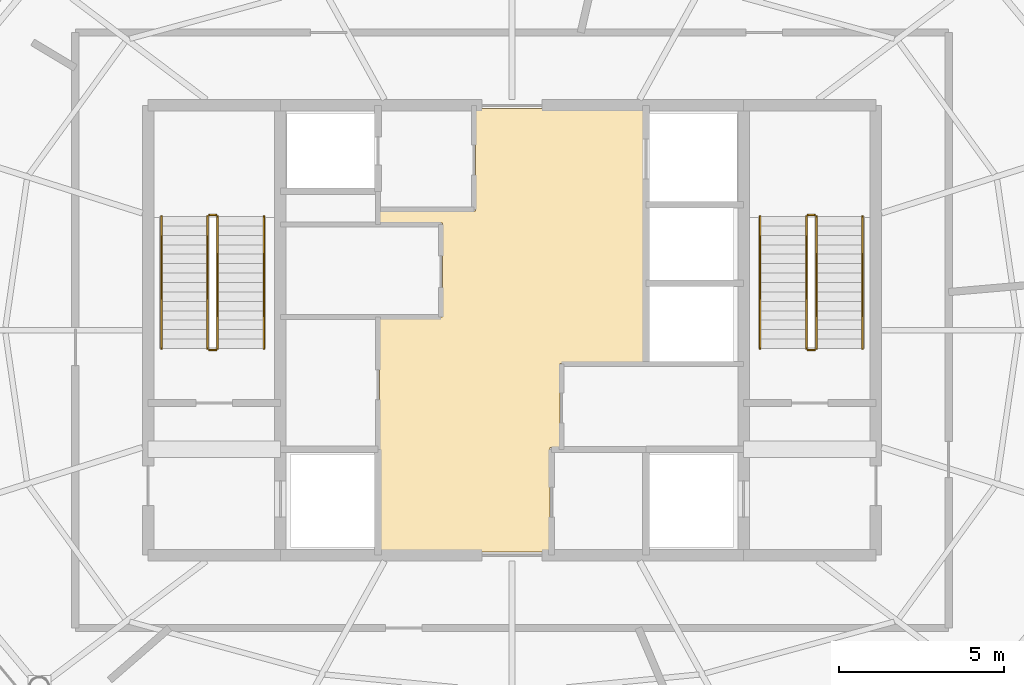
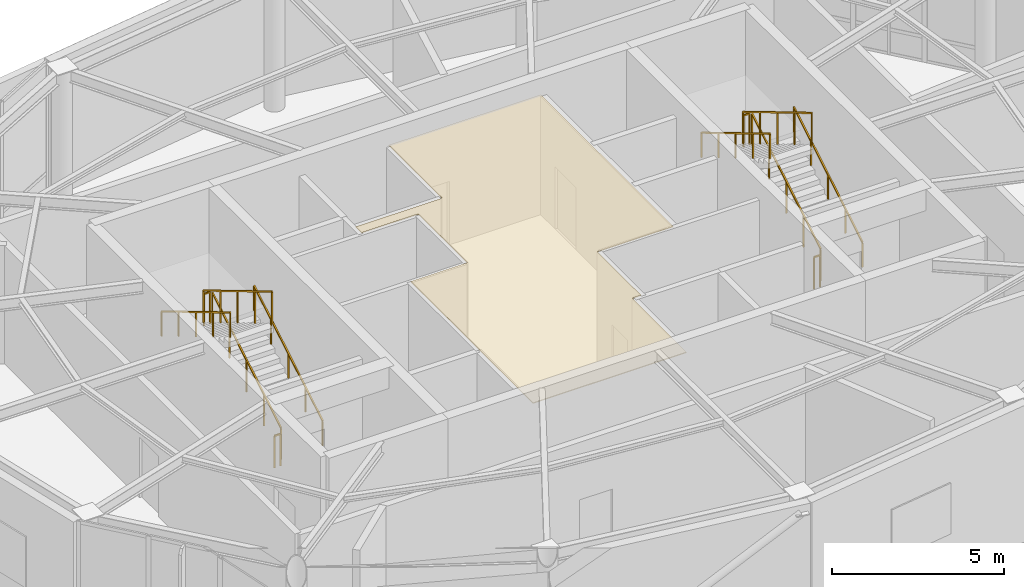
# One storey, part 15 of 15: 12 railings, 1 covering.
"""IFC4 building model written with IfcOpenShell, lengths in metres."""

from ifc_helpers import new_model, si_unit, direction, frame, origin, origin_2d, place, context, subcontext, project, spatial, polyline, rectangle, outline, extrude, material, layer, layer_set, type_object, element, save


model = new_model("IFC4")

# Units and contexts
model_context = context("Model", 3, precision=1e-05, world=origin(), true_north=direction((0.0, 1.0)))
body_context = subcontext(model_context, "Body", "Model", "MODEL_VIEW")
ifc_project = project(units=[si_unit("LENGTHUNIT", "METRE"), si_unit("AREAUNIT", "SQUARE_METRE"), si_unit("VOLUMEUNIT", "CUBIC_METRE"), si_unit("PLANEANGLEUNIT", "RADIAN"), si_unit("MASSUNIT", "GRAM", prefix="KILO")], contexts=[model_context])

# Site, building, storey
site_placement = place(None, origin())
site = spatial("IfcSite", under=ifc_project, at=site_placement, CompositionType="ELEMENT")
building_placement = place(site_placement, origin())
building = spatial("IfcBuilding", under=site, at=building_placement, Name="Sarneth Arch Tower", CompositionType="ELEMENT")
storey_placement = place(building_placement, frame((0.0, 0.0, 316.5)))
storey = spatial("IfcBuildingStorey", under=building, at=storey_placement, Name="L82", CompositionType="ELEMENT", Elevation=316.5)

# Covering
ifc_material_1 = material(Name="Perforated acoustic gypsum ceiling board")
ifc_layer = layer(ifc_material_1, 0.02490234375)
ifc_layer_set = layer_set([ifc_layer], Name="Perforated acoustic gypsum ceiling board")
covering_type = type_object("IfcCoveringType", Name="COV-CEIL-GYP", PredefinedType="CEILING", material=ifc_layer_set)
covering_placement = place(storey_placement, frame((0.0, 0.0, 4.159912109375)))
element("IfcCovering", 1, at=covering_placement, inside=storey, type_object=covering_type, Name="L82 Lift lobby acoustic ceiling", PredefinedType="CEILING", context=body_context, shape_type="SweptSolid", body=[
    extrude(outline(polyline([(49.449951171875, 41.0), (49.449951171875, 38.449951171875), (49.14990234375, 38.449951171875), (49.14990234375, 35.300048828125), (44.0, 35.300048828125), (44.0, 42.39990234375), (45.89990234375, 42.39990234375), (45.89990234375, 45.25), (44.0, 45.25), (44.0, 45.60009765625), (46.89990234375, 45.60009765625), (46.89990234375, 48.699951171875), (52.0, 48.699951171875), (52.0, 41.0), (49.449951171875, 41.0)])), origin(), (0.0, 0.0, 1.0), 0.030029296875),
])

# Railings
ifc_material_2 = material(Name="Brushed Stainless Steel 304 tubular handrail", Category="steel")
railing_type_1 = type_object("IfcRailingType", Name="RAIL-HANDRAIL-900", PredefinedType="HANDRAIL", material=ifc_material_2)
railing_1_placement = place(storey_placement, frame((40.5, 41.449951171875, 0.169921875)))
element("IfcRailing", 2, at=railing_1_placement, inside=storey, type_object=railing_type_1, Name="L82 ST-1 stair handrail 1", PredefinedType="HANDRAIL", context=body_context, shape_type="SweptSolid", body=[
    extrude(rectangle(XDim=0.048095703125, YDim=0.048095703125, at=origin_2d()), frame((0.0, 0.0, 0.8759765625), z_axis=(0.0, 0.858806931142, 0.512299380267), x_axis=(-1.0, 0.0, 0.0)), (0.0, 0.0, 1.0), 4.64599609375),
    extrude(rectangle(XDim=0.0419921875, YDim=0.0419921875, at=origin_2d()), origin(), (0.0, 0.0, 1.0), 0.851806640625),
    extrude(rectangle(XDim=0.0419921875, YDim=0.0419921875, at=origin_2d()), frame((0.0, 0.99755859375, 0.594970703125)), (0.0, 0.0, 1.0), 0.851806640625),
    extrude(rectangle(XDim=0.0419921875, YDim=0.0419921875, at=origin_2d()), frame((0.0, 1.9951171875, 1.18994140625)), (0.0, 0.0, 1.0), 0.851806640625),
    extrude(rectangle(XDim=0.0419921875, YDim=0.0419921875, at=origin_2d()), frame((0.0, 2.992431640625, 1.78515625)), (0.0, 0.0, 1.0), 0.851806640625),
    extrude(rectangle(XDim=0.0419921875, YDim=0.0419921875, at=origin_2d()), frame((0.0, 3.989990234375, 2.380126953125)), (0.0, 0.0, 1.0), 0.851806640625),
])
railing_2_placement = place(storey_placement, frame((37.39990234375, 45.43994140625, 2.719970703125)))
element("IfcRailing", 3, at=railing_2_placement, inside=storey, type_object=railing_type_1, Name="L82 ST-1 stair handrail 2", PredefinedType="HANDRAIL", context=body_context, shape_type="SweptSolid", body=[
    extrude(rectangle(XDim=0.048095703125, YDim=0.048095703125, at=origin_2d()), frame((0.0, 0.0, 0.8759765625), z_axis=(0.0, -0.858806931142, 0.512299380267), x_axis=(1.0, 0.0, 0.0)), (0.0, 0.0, 1.0), 4.64599609375),
    extrude(rectangle(XDim=0.0419921875, YDim=0.0419921875, at=origin_2d()), origin(), (0.0, 0.0, 1.0), 0.851806640625),
    extrude(rectangle(XDim=0.0419921875, YDim=0.0419921875, at=origin_2d()), frame((0.0, -0.99755859375, 0.594970703125)), (0.0, 0.0, 1.0), 0.851806640625),
    extrude(rectangle(XDim=0.0419921875, YDim=0.0419921875, at=origin_2d()), frame((0.0, -1.9951171875, 1.18994140625)), (0.0, 0.0, 1.0), 0.851806640625),
    extrude(rectangle(XDim=0.0419921875, YDim=0.0419921875, at=origin_2d()), frame((0.0, -2.992431640625, 1.78515625)), (0.0, 0.0, 1.0), 0.851806640625),
    extrude(rectangle(XDim=0.0419921875, YDim=0.0419921875, at=origin_2d()), frame((0.0, -3.989990234375, 2.380126953125)), (0.0, 0.0, 1.0), 0.851806640625),
])
railing_3_placement = place(storey_placement, frame((58.60009765625, 41.449951171875, 0.169921875)))
element("IfcRailing", 4, at=railing_3_placement, inside=storey, type_object=railing_type_1, Name="L82 ST-2 stair handrail 1", PredefinedType="HANDRAIL", context=body_context, shape_type="SweptSolid", body=[
    extrude(rectangle(XDim=0.048095703125, YDim=0.048095703125, at=origin_2d()), frame((0.0, 0.0, 0.8759765625), z_axis=(0.0, 0.858806931142, 0.512299380267), x_axis=(-1.0, 0.0, 0.0)), (0.0, 0.0, 1.0), 4.64599609375),
    extrude(rectangle(XDim=0.0419921875, YDim=0.0419921875, at=origin_2d()), origin(), (0.0, 0.0, 1.0), 0.851806640625),
    extrude(rectangle(XDim=0.0419921875, YDim=0.0419921875, at=origin_2d()), frame((0.0, 0.99755859375, 0.594970703125)), (0.0, 0.0, 1.0), 0.851806640625),
    extrude(rectangle(XDim=0.0419921875, YDim=0.0419921875, at=origin_2d()), frame((0.0, 1.9951171875, 1.18994140625)), (0.0, 0.0, 1.0), 0.851806640625),
    extrude(rectangle(XDim=0.0419921875, YDim=0.0419921875, at=origin_2d()), frame((0.0, 2.992431640625, 1.78515625)), (0.0, 0.0, 1.0), 0.851806640625),
    extrude(rectangle(XDim=0.0419921875, YDim=0.0419921875, at=origin_2d()), frame((0.0, 3.989990234375, 2.380126953125)), (0.0, 0.0, 1.0), 0.851806640625),
])
railing_4_placement = place(storey_placement, frame((55.5, 45.43994140625, 2.719970703125)))
element("IfcRailing", 5, at=railing_4_placement, inside=storey, type_object=railing_type_1, Name="L82 ST-2 stair handrail 2", PredefinedType="HANDRAIL", context=body_context, shape_type="SweptSolid", body=[
    extrude(rectangle(XDim=0.048095703125, YDim=0.048095703125, at=origin_2d()), frame((0.0, 0.0, 0.8759765625), z_axis=(0.0, -0.858806931142, 0.512299380267), x_axis=(1.0, 0.0, 0.0)), (0.0, 0.0, 1.0), 4.64599609375),
    extrude(rectangle(XDim=0.0419921875, YDim=0.0419921875, at=origin_2d()), origin(), (0.0, 0.0, 1.0), 0.851806640625),
    extrude(rectangle(XDim=0.0419921875, YDim=0.0419921875, at=origin_2d()), frame((0.0, -0.99755859375, 0.594970703125)), (0.0, 0.0, 1.0), 0.851806640625),
    extrude(rectangle(XDim=0.0419921875, YDim=0.0419921875, at=origin_2d()), frame((0.0, -1.9951171875, 1.18994140625)), (0.0, 0.0, 1.0), 0.851806640625),
    extrude(rectangle(XDim=0.0419921875, YDim=0.0419921875, at=origin_2d()), frame((0.0, -2.992431640625, 1.78515625)), (0.0, 0.0, 1.0), 0.851806640625),
    extrude(rectangle(XDim=0.0419921875, YDim=0.0419921875, at=origin_2d()), frame((0.0, -3.989990234375, 2.380126953125)), (0.0, 0.0, 1.0), 0.851806640625),
])
ifc_material_3 = material(Name="Painted Steel S275 stair well guard", Category="steel")
railing_type_2 = type_object("IfcRailingType", Name="RAIL-STAIR-GUARD", PredefinedType="GUARDRAIL", material=ifc_material_3)
railing_5_placement = place(storey_placement, frame((39.10009765625, 41.449951171875, 0.169921875)))
element("IfcRailing", 6, at=railing_5_placement, inside=storey, type_object=railing_type_2, Name="L82 ST-1 stair guard 1", PredefinedType="GUARDRAIL", context=body_context, shape_type="SweptSolid", body=[
    extrude(rectangle(XDim=0.048095703125, YDim=0.048095703125, at=origin_2d()), frame((0.0, 0.0, 1.1259765625), z_axis=(0.0, 0.858806931142, 0.512299380267), x_axis=(-1.0, 0.0, 0.0)), (0.0, 0.0, 1.0), 4.64599609375),
    extrude(rectangle(XDim=0.0419921875, YDim=0.0419921875, at=origin_2d()), origin(), (0.0, 0.0, 1.0), 1.101806640625),
    extrude(rectangle(XDim=0.0419921875, YDim=0.0419921875, at=origin_2d()), frame((0.0, 0.99755859375, 0.594970703125)), (0.0, 0.0, 1.0), 1.101806640625),
    extrude(rectangle(XDim=0.0419921875, YDim=0.0419921875, at=origin_2d()), frame((0.0, 1.9951171875, 1.18994140625)), (0.0, 0.0, 1.0), 1.101806640625),
    extrude(rectangle(XDim=0.0419921875, YDim=0.0419921875, at=origin_2d()), frame((0.0, 2.992431640625, 1.78515625)), (0.0, 0.0, 1.0), 1.101806640625),
    extrude(rectangle(XDim=0.0419921875, YDim=0.0419921875, at=origin_2d()), frame((0.0, 3.989990234375, 2.380126953125)), (0.0, 0.0, 1.0), 1.101806640625),
])
railing_6_placement = place(storey_placement, frame((39.050048828125, 45.489990234375, 2.550048828125)))
element("IfcRailing", 7, at=railing_6_placement, inside=storey, type_object=railing_type_2, Name="L82 ST-1 stair guard 2", PredefinedType="GUARDRAIL", context=body_context, shape_type="SweptSolid", body=[
    extrude(rectangle(XDim=0.048095703125, YDim=0.048095703125, at=origin_2d()), frame((0.0, 0.0, 1.1259765625), z_axis=(-1.0, 0.0, 0.0), x_axis=(0.0, -1.0, 0.0)), (0.0, 0.0, 1.0), 0.199951171875),
    extrude(rectangle(XDim=0.0419921875, YDim=0.0419921875, at=origin_2d()), origin(), (0.0, 0.0, 1.0), 1.101806640625),
    extrude(rectangle(XDim=0.0419921875, YDim=0.0419921875, at=origin_2d()), frame((-0.199951171875, 0.0, 0.0)), (0.0, 0.0, 1.0), 1.101806640625),
])
railing_7_placement = place(storey_placement, frame((38.800048828125, 45.43994140625, 2.719970703125)))
element("IfcRailing", 8, at=railing_7_placement, inside=storey, type_object=railing_type_2, Name="L82 ST-1 stair guard 3", PredefinedType="GUARDRAIL", context=body_context, shape_type="SweptSolid", body=[
    extrude(rectangle(XDim=0.048095703125, YDim=0.048095703125, at=origin_2d()), frame((0.0, 0.0, 1.1259765625), z_axis=(0.0, -0.858806931142, 0.512299380267), x_axis=(1.0, 0.0, 0.0)), (0.0, 0.0, 1.0), 4.64599609375),
    extrude(rectangle(XDim=0.0419921875, YDim=0.0419921875, at=origin_2d()), origin(), (0.0, 0.0, 1.0), 1.101806640625),
    extrude(rectangle(XDim=0.0419921875, YDim=0.0419921875, at=origin_2d()), frame((0.0, -0.99755859375, 0.594970703125)), (0.0, 0.0, 1.0), 1.101806640625),
    extrude(rectangle(XDim=0.0419921875, YDim=0.0419921875, at=origin_2d()), frame((0.0, -1.9951171875, 1.18994140625)), (0.0, 0.0, 1.0), 1.101806640625),
    extrude(rectangle(XDim=0.0419921875, YDim=0.0419921875, at=origin_2d()), frame((0.0, -2.992431640625, 1.78515625)), (0.0, 0.0, 1.0), 1.101806640625),
    extrude(rectangle(XDim=0.0419921875, YDim=0.0419921875, at=origin_2d()), frame((0.0, -3.989990234375, 2.380126953125)), (0.0, 0.0, 1.0), 1.101806640625),
])
railing_8_placement = place(storey_placement, frame((39.050048828125, 41.39990234375, 0.0)))
element("IfcRailing", 9, at=railing_8_placement, inside=storey, type_object=railing_type_2, Name="L82 ST-1 stair guard 4", PredefinedType="GUARDRAIL", context=body_context, shape_type="SweptSolid", body=[
    extrude(rectangle(XDim=0.048095703125, YDim=0.048095703125, at=origin_2d()), frame((0.0, 0.0, 1.1259765625), z_axis=(-1.0, 0.0, 0.0), x_axis=(0.0, -1.0, 0.0)), (0.0, 0.0, 1.0), 0.199951171875),
    extrude(rectangle(XDim=0.0419921875, YDim=0.0419921875, at=origin_2d()), origin(), (0.0, 0.0, 1.0), 1.101806640625),
    extrude(rectangle(XDim=0.0419921875, YDim=0.0419921875, at=origin_2d()), frame((-0.199951171875, 0.0, 0.0)), (0.0, 0.0, 1.0), 1.101806640625),
])
railing_9_placement = place(storey_placement, frame((57.199951171875, 41.449951171875, 0.169921875)))
element("IfcRailing", 10, at=railing_9_placement, inside=storey, type_object=railing_type_2, Name="L82 ST-2 stair guard 1", PredefinedType="GUARDRAIL", context=body_context, shape_type="SweptSolid", body=[
    extrude(rectangle(XDim=0.048095703125, YDim=0.048095703125, at=origin_2d()), frame((0.0, 0.0, 1.1259765625), z_axis=(0.0, 0.858806931142, 0.512299380267), x_axis=(-1.0, 0.0, 0.0)), (0.0, 0.0, 1.0), 4.64599609375),
    extrude(rectangle(XDim=0.0419921875, YDim=0.0419921875, at=origin_2d()), origin(), (0.0, 0.0, 1.0), 1.101806640625),
    extrude(rectangle(XDim=0.0419921875, YDim=0.0419921875, at=origin_2d()), frame((0.0, 0.99755859375, 0.594970703125)), (0.0, 0.0, 1.0), 1.101806640625),
    extrude(rectangle(XDim=0.0419921875, YDim=0.0419921875, at=origin_2d()), frame((0.0, 1.9951171875, 1.18994140625)), (0.0, 0.0, 1.0), 1.101806640625),
    extrude(rectangle(XDim=0.0419921875, YDim=0.0419921875, at=origin_2d()), frame((0.0, 2.992431640625, 1.78515625)), (0.0, 0.0, 1.0), 1.101806640625),
    extrude(rectangle(XDim=0.0419921875, YDim=0.0419921875, at=origin_2d()), frame((0.0, 3.989990234375, 2.380126953125)), (0.0, 0.0, 1.0), 1.101806640625),
])
railing_10_placement = place(storey_placement, frame((57.14990234375, 45.489990234375, 2.550048828125)))
element("IfcRailing", 11, at=railing_10_placement, inside=storey, type_object=railing_type_2, Name="L82 ST-2 stair guard 2", PredefinedType="GUARDRAIL", context=body_context, shape_type="SweptSolid", body=[
    extrude(rectangle(XDim=0.048095703125, YDim=0.048095703125, at=origin_2d()), frame((0.0, 0.0, 1.1259765625), z_axis=(-1.0, 0.0, 0.0), x_axis=(0.0, -1.0, 0.0)), (0.0, 0.0, 1.0), 0.199951171875),
    extrude(rectangle(XDim=0.0419921875, YDim=0.0419921875, at=origin_2d()), origin(), (0.0, 0.0, 1.0), 1.101806640625),
    extrude(rectangle(XDim=0.0419921875, YDim=0.0419921875, at=origin_2d()), frame((-0.199951171875, 0.0, 0.0)), (0.0, 0.0, 1.0), 1.101806640625),
])
railing_11_placement = place(storey_placement, frame((56.89990234375, 45.43994140625, 2.719970703125)))
element("IfcRailing", 12, at=railing_11_placement, inside=storey, type_object=railing_type_2, Name="L82 ST-2 stair guard 3", PredefinedType="GUARDRAIL", context=body_context, shape_type="SweptSolid", body=[
    extrude(rectangle(XDim=0.048095703125, YDim=0.048095703125, at=origin_2d()), frame((0.0, 0.0, 1.1259765625), z_axis=(0.0, -0.858806931142, 0.512299380267), x_axis=(1.0, 0.0, 0.0)), (0.0, 0.0, 1.0), 4.64599609375),
    extrude(rectangle(XDim=0.0419921875, YDim=0.0419921875, at=origin_2d()), origin(), (0.0, 0.0, 1.0), 1.101806640625),
    extrude(rectangle(XDim=0.0419921875, YDim=0.0419921875, at=origin_2d()), frame((0.0, -0.99755859375, 0.594970703125)), (0.0, 0.0, 1.0), 1.101806640625),
    extrude(rectangle(XDim=0.0419921875, YDim=0.0419921875, at=origin_2d()), frame((0.0, -1.9951171875, 1.18994140625)), (0.0, 0.0, 1.0), 1.101806640625),
    extrude(rectangle(XDim=0.0419921875, YDim=0.0419921875, at=origin_2d()), frame((0.0, -2.992431640625, 1.78515625)), (0.0, 0.0, 1.0), 1.101806640625),
    extrude(rectangle(XDim=0.0419921875, YDim=0.0419921875, at=origin_2d()), frame((0.0, -3.989990234375, 2.380126953125)), (0.0, 0.0, 1.0), 1.101806640625),
])
railing_12_placement = place(storey_placement, frame((57.14990234375, 41.39990234375, 0.0)))
element("IfcRailing", 13, at=railing_12_placement, inside=storey, type_object=railing_type_2, Name="L82 ST-2 stair guard 4", PredefinedType="GUARDRAIL", context=body_context, shape_type="SweptSolid", body=[
    extrude(rectangle(XDim=0.048095703125, YDim=0.048095703125, at=origin_2d()), frame((0.0, 0.0, 1.1259765625), z_axis=(-1.0, 0.0, 0.0), x_axis=(0.0, -1.0, 0.0)), (0.0, 0.0, 1.0), 0.199951171875),
    extrude(rectangle(XDim=0.0419921875, YDim=0.0419921875, at=origin_2d()), origin(), (0.0, 0.0, 1.0), 1.101806640625),
    extrude(rectangle(XDim=0.0419921875, YDim=0.0419921875, at=origin_2d()), frame((-0.199951171875, 0.0, 0.0)), (0.0, 0.0, 1.0), 1.101806640625),
])

save(model, "model.ifc")
